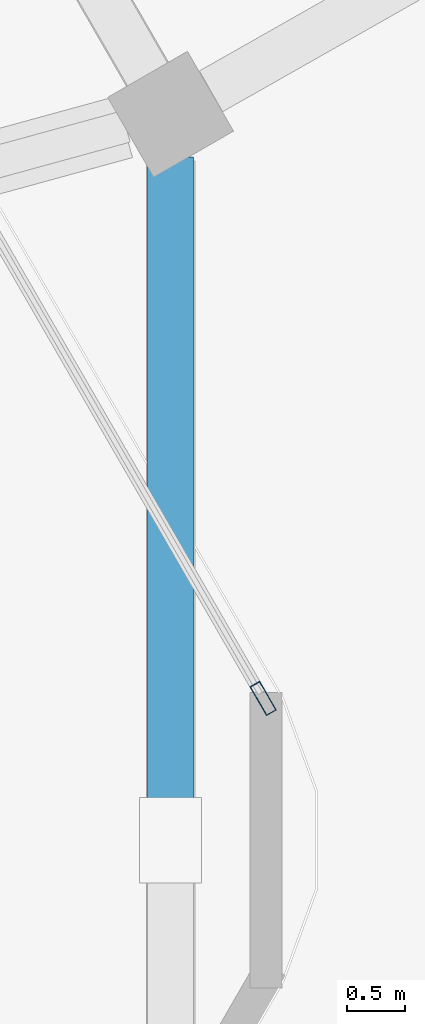
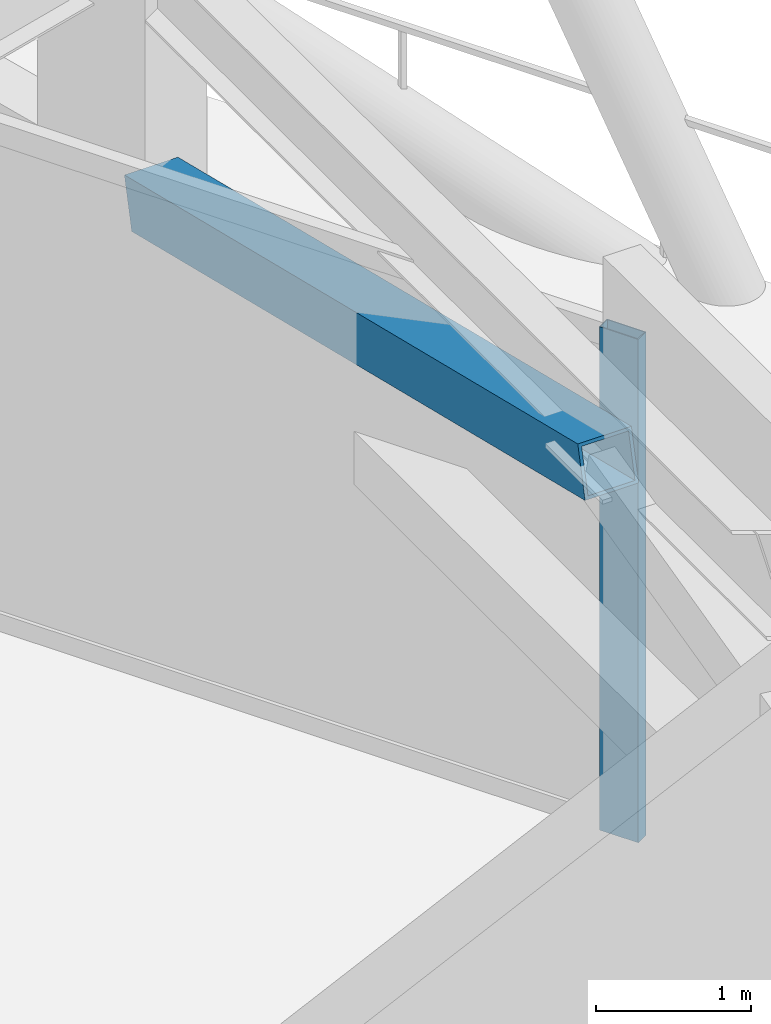
# One storey, part 6 of 19: 2 members, 1 element without a shape of its own.
"""IFC4 building model written with IfcOpenShell, lengths in metres."""

from ifc_helpers import new_model, si_unit, direction, frame, origin, origin_2d, place, context, subcontext, project, spatial, hollow_rectangle, extrude, material, material_profile, profile_set, type_object, element, aggregate, save


model = new_model("IFC4")

# Units and contexts
model_context = context("Model", 3, precision=1e-05, world=origin(), true_north=direction((0.0, 1.0)))
body_context = subcontext(model_context, "Body", "Model", "MODEL_VIEW")
ifc_project = project(units=[si_unit("LENGTHUNIT", "METRE"), si_unit("AREAUNIT", "SQUARE_METRE"), si_unit("VOLUMEUNIT", "CUBIC_METRE"), si_unit("PLANEANGLEUNIT", "RADIAN"), si_unit("MASSUNIT", "GRAM", prefix="KILO")], contexts=[model_context])

# Site, building, storey
site_placement = place(None, origin())
site = spatial("IfcSite", under=ifc_project, at=site_placement, CompositionType="ELEMENT")
building_placement = place(site_placement, origin())
building = spatial("IfcBuilding", under=site, at=building_placement, Name="Zuhravey Tower", CompositionType="ELEMENT")
storey_placement = place(building_placement, frame((0.0, 0.0, 303.39990234375)))
storey = spatial("IfcBuildingStorey", under=building, at=storey_placement, Name="L77", CompositionType="ELEMENT", Elevation=303.39990234375)

# Member
ifc_material_1 = material(Name="Steel SM355", Category="steel")
ifc_material_profile_1 = material_profile(ifc_material_1, hollow_rectangle(XDim=0.39990234375, YDim=0.39990234375, WallThickness=0.02490234375, at=origin_2d()), Name="RHS-400x400x25")
ifc_profile_set_1 = profile_set([ifc_material_profile_1], Name="Steel SM355")
member_type_1 = type_object("IfcMemberType", Name="Belt Truss Diagonal RHS400x400", PredefinedType="BRACE", material=ifc_profile_set_1)
member_1_placement = place(storey_placement, frame((58.993408203125, 37.8828125, 2.49365234375), z_axis=(0.0, -0.971463712551, 0.237188227355), x_axis=(1.0, 0.0, 0.0)))
element("IfcMember", 1, at=member_1_placement, inside=storey, type_object=member_type_1, Name="L77 Belt Truss Diagonal BTD1-11.2", PredefinedType="BRACE", context=body_context, shape_type="SweptSolid", body=[
    extrude(hollow_rectangle(XDim=0.39990234375, YDim=0.39990234375, WallThickness=0.02490234375, at=origin_2d()), origin(), (0.0, 0.0, 1.0), 6.03076171875),
])

# Curtain wall, member
ifc_material_2 = material(Name="Thermally broken anodised aluminium", Category="aluminium")
curtain_wall_type = type_object("IfcCurtainWallType", Name="Sky-Garden Tray Clerestory Curtain Wall CW5", PredefinedType="NOTDEFINED", material=ifc_material_2)
curtain_wall_placement = place(storey_placement, origin())
curtain_wall = element("IfcCurtainWall", 2, at=curtain_wall_placement, inside=storey, type_object=curtain_wall_type, Name="L77 CW5 CW-L77-F1-2", PredefinedType="NOTDEFINED")
ifc_material_3 = material(Name="Anodised aluminium", Category="aluminium")
ifc_material_profile_2 = material_profile(ifc_material_3, hollow_rectangle(XDim=0.10009765625, YDim=0.2900390625, WallThickness=0.006103515625, at=origin_2d()), Name="ALU-RHS-100x290x6")
ifc_profile_set_2 = profile_set([ifc_material_profile_2], Name="Anodised aluminium")
member_type_2 = type_object("IfcMemberType", Name="Heavy Tall-Storey Mullion 100x220", PredefinedType="MULLION", material=ifc_profile_set_2)
member_2_placement = place(storey_placement, frame((59.796875, 33.230712890625, 0.0), z_axis=(0.0, 0.0, 1.0), x_axis=(0.866023249133, 0.500003731948, 0.0)))
member_2 = element("IfcMember", 3, at=member_2_placement, type_object=member_type_2, Name="CW5 mullion 2", PredefinedType="MULLION", context=body_context, shape_type="SweptSolid", body=[
    extrude(hollow_rectangle(XDim=0.10009765625, YDim=0.2900390625, WallThickness=0.006103515625, at=origin_2d()), origin(), (0.0, 0.0, 1.0), 3.97021484375),
])
aggregate(curtain_wall, [member_2])

save(model, "model.ifc")
